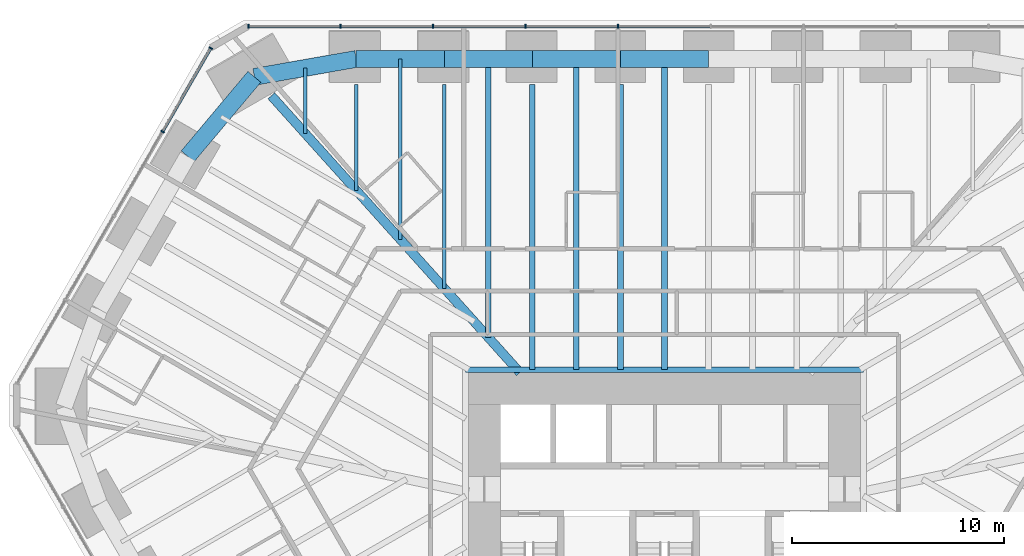
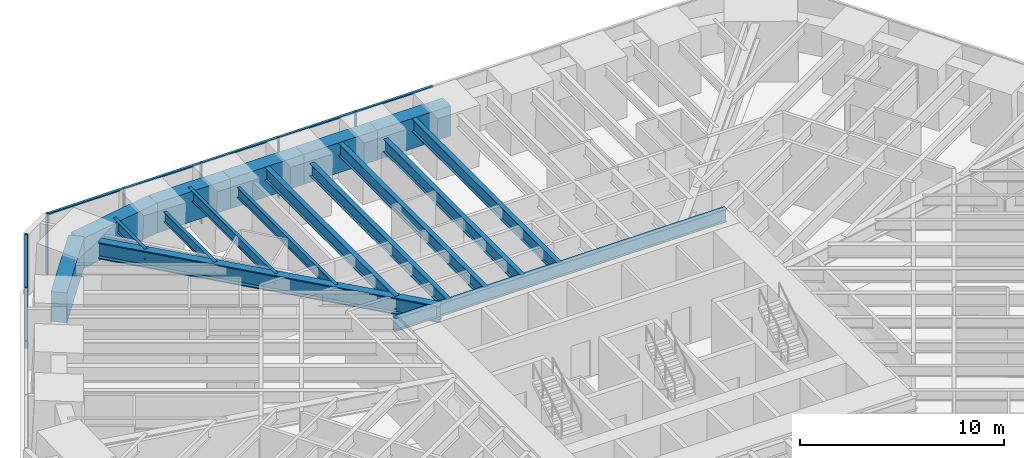
# One storey, part 8 of 17: 17 beams, 13 members, 2 elements without a shape of their own.
"""IFC4 building model written with IfcOpenShell, lengths in metres."""

from ifc_helpers import new_model, si_unit, direction, frame, origin, origin_2d, place, context, subcontext, project, spatial, rectangle, i_section, extrude, material, material_profile, profile_set, type_object, element, aggregate, save


model = new_model("IFC4")

# Units and contexts
model_context = context("Model", 3, precision=1e-05, world=origin(), true_north=direction((0.0, 1.0)))
body_context = subcontext(model_context, "Body", "Model", "MODEL_VIEW")
ifc_project = project(units=[si_unit("LENGTHUNIT", "METRE"), si_unit("AREAUNIT", "SQUARE_METRE"), si_unit("VOLUMEUNIT", "CUBIC_METRE"), si_unit("PLANEANGLEUNIT", "RADIAN"), si_unit("MASSUNIT", "GRAM", prefix="KILO")], contexts=[model_context])

# Site, building, storey
site_placement = place(None, origin())
site = spatial("IfcSite", under=ifc_project, at=site_placement, CompositionType="ELEMENT")
building_placement = place(site_placement, origin())
building = spatial("IfcBuilding", under=site, at=building_placement, Name="Sandreach Pilgrim Tower", CompositionType="ELEMENT")
storey_placement = place(building_placement, frame((0.0, 0.0, 61.0)))
storey = spatial("IfcBuildingStorey", under=building, at=storey_placement, Name="L14", CompositionType="ELEMENT", Elevation=61.0)

# Curtain wall, members
ifc_material_1 = material(Name="Aluminium framed curtain wall", Category="aluminium")
curtain_wall_type = type_object("IfcCurtainWallType", Name="Hostel tower curtain wall", PredefinedType="NOTDEFINED", material=ifc_material_1)
curtain_wall_1_placement = place(storey_placement, origin())
curtain_wall_1 = element("IfcCurtainWall", 1, at=curtain_wall_1_placement, inside=storey, type_object=curtain_wall_type, Name="CW-1 L14 N", PredefinedType="NOTDEFINED")
ifc_material_2 = material(Name="Aluminium extrusion", Category="aluminium")
ifc_material_profile_1 = material_profile(ifc_material_2, rectangle(XDim=0.06494140625, YDim=0.179931640625, at=origin_2d()), Name="CW-1M 65X180")
ifc_profile_set_1 = profile_set([ifc_material_profile_1], Name="Aluminium extrusion")
member_type_1 = type_object("IfcMemberType", Name="CW-1 mullion", PredefinedType="MULLION", material=ifc_profile_set_1)
member_1_placement = place(storey_placement, frame((-19.6396484375, 23.94873046875, 0.0), z_axis=(0.0, 0.0, 1.0), x_axis=(1.0, 0.0, 0.0)))
member_1 = element("IfcMember", 2, at=member_1_placement, type_object=member_type_1, Name="CW-1 mullion 1", PredefinedType="MULLION", context=body_context, shape_type="SweptSolid", body=[
    extrude(rectangle(XDim=0.06494140625, YDim=0.179931640625, at=origin_2d()), origin(), (0.0, 0.0, 1.0), 3.639892578125),
])
member_2_placement = place(storey_placement, frame((-15.300537109375, 23.94873046875, 0.0), z_axis=(0.0, 0.0, 1.0), x_axis=(1.0, 0.0, 0.0)))
member_2 = element("IfcMember", 3, at=member_2_placement, type_object=member_type_1, Name="CW-1 mullion 2", PredefinedType="MULLION", context=body_context, shape_type="SweptSolid", body=[
    extrude(rectangle(XDim=0.06494140625, YDim=0.179931640625, at=origin_2d()), origin(), (0.0, 0.0, 1.0), 3.639892578125),
])
member_3_placement = place(storey_placement, frame((-10.928955078125, 23.94873046875, 0.0), z_axis=(0.0, 0.0, 1.0), x_axis=(1.0, 0.0, 0.0)))
member_3 = element("IfcMember", 4, at=member_3_placement, type_object=member_type_1, Name="CW-1 mullion 3", PredefinedType="MULLION", context=body_context, shape_type="SweptSolid", body=[
    extrude(rectangle(XDim=0.06494140625, YDim=0.179931640625, at=origin_2d()), origin(), (0.0, 0.0, 1.0), 3.639892578125),
])
member_4_placement = place(storey_placement, frame((-6.557373046875, 23.94873046875, 0.0), z_axis=(0.0, 0.0, 1.0), x_axis=(1.0, 0.0, 0.0)))
member_4 = element("IfcMember", 5, at=member_4_placement, type_object=member_type_1, Name="CW-1 mullion 4", PredefinedType="MULLION", context=body_context, shape_type="SweptSolid", body=[
    extrude(rectangle(XDim=0.06494140625, YDim=0.179931640625, at=origin_2d()), origin(), (0.0, 0.0, 1.0), 3.639892578125),
])
member_5_placement = place(storey_placement, frame((-2.185791015625, 23.94873046875, 0.0), z_axis=(0.0, 0.0, 1.0), x_axis=(1.0, 0.0, 0.0)))
member_5 = element("IfcMember", 6, at=member_5_placement, type_object=member_type_1, Name="CW-1 mullion 5", PredefinedType="MULLION", context=body_context, shape_type="SweptSolid", body=[
    extrude(rectangle(XDim=0.06494140625, YDim=0.179931640625, at=origin_2d()), origin(), (0.0, 0.0, 1.0), 3.639892578125),
])

curtain_wall_2_placement = place(storey_placement, origin())
curtain_wall_2 = element("IfcCurtainWall", 7, at=curtain_wall_2_placement, inside=storey, type_object=curtain_wall_type, Name="CW-1 L14 NW", PredefinedType="NOTDEFINED")
member_6_placement = place(storey_placement, frame((-23.697265625, 18.97705078125, 0.0), z_axis=(0.0, 0.0, 1.0), x_axis=(0.5, 0.866025403784, 0.0)))
member_6 = element("IfcMember", 8, at=member_6_placement, type_object=member_type_1, Name="CW-1 mullion 4", PredefinedType="MULLION", context=body_context, shape_type="SweptSolid", body=[
    extrude(rectangle(XDim=0.06494140625, YDim=0.179931640625, at=origin_2d()), origin(), (0.0, 0.0, 1.0), 3.639892578125),
])
member_7_placement = place(storey_placement, frame((-21.42041015625, 22.920654296875, 0.0), z_axis=(0.0, 0.0, 1.0), x_axis=(0.5, 0.866025403784, 0.0)))
member_7 = element("IfcMember", 9, at=member_7_placement, type_object=member_type_1, Name="CW-1 mullion 5", PredefinedType="MULLION", context=body_context, shape_type="SweptSolid", body=[
    extrude(rectangle(XDim=0.06494140625, YDim=0.179931640625, at=origin_2d()), origin(), (0.0, 0.0, 1.0), 3.639892578125),
])

# Member
ifc_material_3 = material(Name="Aluminium extrusion", Category="aluminium")
ifc_material_profile_2 = material_profile(ifc_material_3, rectangle(XDim=0.139892578125, YDim=0.070068359375, at=origin_2d()), Name="CW-1T 140X70")
ifc_profile_set_2 = profile_set([ifc_material_profile_2], Name="Aluminium extrusion")
member_type_2 = type_object("IfcMemberType", Name="CW-1 transom", PredefinedType="USERDEFINED", material=ifc_profile_set_2)
member_8_placement = place(storey_placement, frame((-19.607177734375, 23.94873046875, 3.60498046875), z_axis=(1.0, 0.0, 0.0), x_axis=(0.0, 1.0, 0.0)))
member_8 = element("IfcMember", 10, at=member_8_placement, type_object=member_type_2, Name="CW-1 head transom 1", ObjectType="TRANSOM", PredefinedType="USERDEFINED", context=body_context, shape_type="SweptSolid", body=[
    extrude(rectangle(XDim=0.139892578125, YDim=0.070068359375, at=origin_2d()), origin(), (0.0, 0.0, 1.0), 4.274169921875),
])

member_9_placement = place(storey_placement, frame((-15.26806640625, 23.94873046875, 3.60498046875), z_axis=(1.0, 0.0, 0.0), x_axis=(0.0, 1.0, 0.0)))
member_9 = element("IfcMember", 11, at=member_9_placement, type_object=member_type_2, Name="CW-1 head transom 2", ObjectType="TRANSOM", PredefinedType="USERDEFINED", context=body_context, shape_type="SweptSolid", body=[
    extrude(rectangle(XDim=0.139892578125, YDim=0.070068359375, at=origin_2d()), origin(), (0.0, 0.0, 1.0), 4.306640625),
])

member_10_placement = place(storey_placement, frame((-10.896484375, 23.94873046875, 3.60498046875), z_axis=(1.0, 0.0, 0.0), x_axis=(0.0, 1.0, 0.0)))
member_10 = element("IfcMember", 12, at=member_10_placement, type_object=member_type_2, Name="CW-1 head transom 3", ObjectType="TRANSOM", PredefinedType="USERDEFINED", context=body_context, shape_type="SweptSolid", body=[
    extrude(rectangle(XDim=0.139892578125, YDim=0.070068359375, at=origin_2d()), origin(), (0.0, 0.0, 1.0), 4.306640625),
])

member_11_placement = place(storey_placement, frame((-6.52490234375, 23.94873046875, 3.60498046875), z_axis=(1.0, 0.0, 0.0), x_axis=(0.0, 1.0, 0.0)))
member_11 = element("IfcMember", 13, at=member_11_placement, type_object=member_type_2, Name="CW-1 head transom 4", ObjectType="TRANSOM", PredefinedType="USERDEFINED", context=body_context, shape_type="SweptSolid", body=[
    extrude(rectangle(XDim=0.139892578125, YDim=0.070068359375, at=origin_2d()), origin(), (0.0, 0.0, 1.0), 4.306640625),
])

member_12_placement = place(storey_placement, frame((-2.1533203125, 23.94873046875, 3.60498046875), z_axis=(1.0, 0.0, 0.0), x_axis=(0.0, 1.0, 0.0)))
member_12 = element("IfcMember", 14, at=member_12_placement, type_object=member_type_2, Name="CW-1 head transom 5", ObjectType="TRANSOM", PredefinedType="USERDEFINED", context=body_context, shape_type="SweptSolid", body=[
    extrude(rectangle(XDim=0.139892578125, YDim=0.070068359375, at=origin_2d()), origin(), (0.0, 0.0, 1.0), 4.306640625),
])

aggregate(curtain_wall_1, [member_1, member_2, member_3, member_4, member_5, member_8, member_9, member_10, member_11, member_12])

member_13_placement = place(storey_placement, frame((-23.680908203125, 19.005126953125, 3.60498046875), z_axis=(0.500017500808, 0.866015299452, 0.0), x_axis=(-0.866015299452, 0.500017500808, 0.0)))
member_13 = element("IfcMember", 15, at=member_13_placement, type_object=member_type_2, Name="CW-1 head transom 4", ObjectType="TRANSOM", PredefinedType="USERDEFINED", context=body_context, shape_type="SweptSolid", body=[
    extrude(rectangle(XDim=0.139892578125, YDim=0.070068359375, at=origin_2d()), origin(), (0.0, 0.0, 1.0), 4.488525390625),
])

aggregate(curtain_wall_2, [member_6, member_7, member_13])

# Beams
ifc_material_4 = material(Name="Steel ASTM A992 Grade 50", Category="steel")
ifc_material_profile_3 = material_profile(ifc_material_4, i_section(OverallWidth=0.2666015625, OverallDepth=0.77978515625, WebThickness=0.0166015625, FlangeThickness=0.030029296875, at=origin_2d()), Name="W30X148")
ifc_profile_set_3 = profile_set([ifc_material_profile_3], Name="Steel ASTM A992 Grade 50")
beam_type_1 = type_object("IfcBeamType", Name="Core edge beam W30X148", PredefinedType="BEAM", material=ifc_profile_set_3)
beam_1_placement = place(storey_placement, frame((-9.393310546875, 7.743408203125, 3.25), z_axis=(1.0, 0.0, 0.0), x_axis=(0.0, 1.0, 0.0)))
element("IfcBeam", 16, at=beam_1_placement, inside=storey, type_object=beam_type_1, Name="BM L14 CEN", PredefinedType="BEAM", context=body_context, shape_type="SweptSolid", body=[
    extrude(i_section(OverallWidth=0.2666015625, OverallDepth=0.77978515625, WebThickness=0.0166015625, FlangeThickness=0.030029296875, at=origin_2d()), origin(), (0.0, 0.0, 1.0), 18.78662109375),
])
ifc_material_5 = material(Name="Steel ASTM A992 Grade 50", Category="steel")
ifc_material_profile_4 = material_profile(ifc_material_5, i_section(OverallWidth=0.431884765625, OverallDepth=0.988037109375, WebThickness=0.034423828125, FlangeThickness=0.06201171875, at=origin_2d()), Name="W36X441")
ifc_profile_set_4 = profile_set([ifc_material_profile_4], Name="Steel ASTM A992 Grade 50")
beam_type_2 = type_object("IfcBeamType", Name="Corner girder W36X441", PredefinedType="BEAM", material=ifc_profile_set_4)
beam_2_placement = place(storey_placement, frame((-18.5615234375, 20.671142578125, 3.14599609375), z_axis=(0.668126629725, -0.744047583594, 0.0), x_axis=(0.744047583594, 0.668126629725, 0.0)))
element("IfcBeam", 17, at=beam_2_placement, inside=storey, type_object=beam_type_2, Name="BM L14 CG39", PredefinedType="BEAM", context=body_context, shape_type="SweptSolid", body=[
    extrude(i_section(OverallWidth=0.431884765625, OverallDepth=0.988037109375, WebThickness=0.034423828125, FlangeThickness=0.06201171875, at=origin_2d()), origin(), (0.0, 0.0, 1.0), 17.5673828125),
])
ifc_material_6 = material(Name="Steel ASTM A992 Grade 50", Category="steel")
ifc_material_profile_5 = material_profile(ifc_material_6, i_section(OverallWidth=0.1787109375, OverallDepth=0.60205078125, WebThickness=0.010986328125, FlangeThickness=0.014892578125, at=origin_2d()), Name="W24X62")
ifc_profile_set_5 = profile_set([ifc_material_profile_5], Name="Steel ASTM A992 Grade 50")
beam_type_3 = type_object("IfcBeamType", Name="Floor beam W24X62", PredefinedType="BEAM", material=ifc_profile_set_5)
beam_3_placement = place(storey_placement, frame((-14.553466796875, 21.20947265625, 3.339111328125), z_axis=(0.0, -1.0, 0.0), x_axis=(1.0, 0.0, 0.0)))
element("IfcBeam", 18, at=beam_3_placement, inside=storey, type_object=beam_type_3, Name="BM L14 F01", PredefinedType="BEAM", context=body_context, shape_type="SweptSolid", body=[
    extrude(i_section(OverallWidth=0.1787109375, OverallDepth=0.60205078125, WebThickness=0.010986328125, FlangeThickness=0.014892578125, at=origin_2d()), origin(), (0.0, 0.0, 1.0), 5.001953125),
])
beam_4_placement = place(storey_placement, frame((-10.395263671875, 21.20947265625, 3.339111328125), z_axis=(0.0, -1.0, 0.0), x_axis=(1.0, 0.0, 0.0)))
element("IfcBeam", 19, at=beam_4_placement, inside=storey, type_object=beam_type_3, Name="BM L14 F02", PredefinedType="BEAM", context=body_context, shape_type="SweptSolid", body=[
    extrude(i_section(OverallWidth=0.1787109375, OverallDepth=0.60205078125, WebThickness=0.010986328125, FlangeThickness=0.014892578125, at=origin_2d()), origin(), (0.0, 0.0, 1.0), 9.632568359375),
])
beam_5_placement = place(storey_placement, frame((-12.474365234375, 22.409423828125, 3.339111328125), z_axis=(0.0, -1.0, 0.0), x_axis=(1.0, 0.0, 0.0)))
element("IfcBeam", 20, at=beam_5_placement, inside=storey, type_object=beam_type_3, Name="BM L14 FM01", PredefinedType="BEAM", context=body_context, shape_type="SweptSolid", body=[
    extrude(i_section(OverallWidth=0.1787109375, OverallDepth=0.60205078125, WebThickness=0.010986328125, FlangeThickness=0.014892578125, at=origin_2d()), origin(), (0.0, 0.0, 1.0), 8.517333984375),
])
beam_6_placement = place(storey_placement, frame((-16.958251953125, 21.98681640625, 3.339111328125), z_axis=(0.0, -1.0, 0.0), x_axis=(1.0, 0.0, 0.0)))
element("IfcBeam", 21, at=beam_6_placement, inside=storey, type_object=beam_type_3, Name="BM L14 FM39", PredefinedType="BEAM", context=body_context, shape_type="SweptSolid", body=[
    extrude(i_section(OverallWidth=0.1787109375, OverallDepth=0.60205078125, WebThickness=0.010986328125, FlangeThickness=0.014892578125, at=origin_2d()), origin(), (0.0, 0.0, 1.0), 3.10107421875),
])
ifc_material_7 = material(Name="Steel ASTM A992 Grade 50", Category="steel")
ifc_material_profile_6 = material_profile(ifc_material_7, i_section(OverallWidth=0.2666015625, OverallDepth=0.761962890625, WebThickness=0.014404296875, FlangeThickness=0.021484375, at=origin_2d()), Name="W30X116")
ifc_profile_set_6 = profile_set([ifc_material_profile_6], Name="Steel ASTM A992 Grade 50")
beam_type_4 = type_object("IfcBeamType", Name="Floor beam W30X116", PredefinedType="BEAM", material=ifc_profile_set_6)
for number, where, z_axis, x_axis, name in (
    (22, (-6.237060546875, 21.20947265625, 3.259033203125), (0.0, -1.0, 0.0), (1.0, 0.0, 0.0), "BM L14 F03"),
    (23, (-2.0791015625, 21.20947265625, 3.259033203125), (0.0, -1.0, 0.0), (1.0, 0.0, 0.0), "BM L14 F04"),
):
    element("IfcBeam", number, at=place(storey_placement, frame(where, z_axis=z_axis, x_axis=x_axis)), inside=storey, type_object=beam_type_4, Name=name, PredefinedType="BEAM", context=body_context, shape_type="SweptSolid", body=[
        extrude(i_section(OverallWidth=0.2666015625, OverallDepth=0.761962890625, WebThickness=0.014404296875, FlangeThickness=0.021484375, at=origin_2d()), origin(), (0.0, 0.0, 1.0), 13.466064453125),
    ])
beam_7_placement = place(storey_placement, frame((-8.316162109375, 22.409423828125, 3.259033203125), z_axis=(0.0, -1.0, 0.0), x_axis=(1.0, 0.0, 0.0)))
element("IfcBeam", 24, at=beam_7_placement, inside=storey, type_object=beam_type_4, Name="BM L14 FM02", PredefinedType="BEAM", context=body_context, shape_type="SweptSolid", body=[
    extrude(i_section(OverallWidth=0.2666015625, OverallDepth=0.761962890625, WebThickness=0.014404296875, FlangeThickness=0.021484375, at=origin_2d()), origin(), (0.0, 0.0, 1.0), 13.14794921875),
])
for number, where, z_axis, x_axis, name in (
    (25, (-4.158203125, 22.409423828125, 3.259033203125), (0.0, -1.0, 0.0), (1.0, 0.0, 0.0), "BM L14 FM03"),
    (26, (0.0, 22.409423828125, 3.259033203125), (0.0, -1.0, 0.0), (1.0, 0.0, 0.0), "BM L14 FM04"),
):
    element("IfcBeam", number, at=place(storey_placement, frame(where, z_axis=z_axis, x_axis=x_axis)), inside=storey, type_object=beam_type_4, Name=name, PredefinedType="BEAM", context=body_context, shape_type="SweptSolid", body=[
        extrude(i_section(OverallWidth=0.2666015625, OverallDepth=0.761962890625, WebThickness=0.014404296875, FlangeThickness=0.021484375, at=origin_2d()), origin(), (0.0, 0.0, 1.0), 14.666015625),
    ])
ifc_material_8 = material(Name="Concrete 10000 psi", Category="concrete")
ifc_material_profile_7 = material_profile(ifc_material_8, rectangle(XDim=0.800048828125, YDim=1.800048828125, at=origin_2d()), Name="RC800X1800")
ifc_profile_set_7 = profile_set([ifc_material_profile_7], Name="Concrete 10000 psi")
beam_type_5 = type_object("IfcBeamType", Name="Spandrel beam RC800X1800", PredefinedType="SPANDREL", material=ifc_profile_set_7)
for number, where, z_axis, x_axis, name in (
    (27, (-14.553466796875, 22.409423828125, 2.739990234375), (1.0, 0.0, 0.0), (0.0, 1.0, 0.0), "BM L14 SP01"),
    (28, (-10.395263671875, 22.409423828125, 2.739990234375), (1.0, 0.0, 0.0), (0.0, 1.0, 0.0), "BM L14 SP02"),
):
    element("IfcBeam", number, at=place(storey_placement, frame(where, z_axis=z_axis, x_axis=x_axis)), inside=storey, type_object=beam_type_5, Name=name, PredefinedType="SPANDREL", context=body_context, shape_type="SweptSolid", body=[
        extrude(rectangle(XDim=0.800048828125, YDim=1.800048828125, at=origin_2d()), origin(), (0.0, 0.0, 1.0), 4.158203125),
    ])
beam_8_placement = place(storey_placement, frame((-6.237060546875, 22.409423828125, 2.739990234375), z_axis=(1.0, 0.0, 0.0), x_axis=(0.0, 1.0, 0.0)))
element("IfcBeam", 29, at=beam_8_placement, inside=storey, type_object=beam_type_5, Name="BM L14 SP03", PredefinedType="SPANDREL", context=body_context, shape_type="SweptSolid", body=[
    extrude(rectangle(XDim=0.800048828125, YDim=1.800048828125, at=origin_2d()), origin(), (0.0, 0.0, 1.0), 4.157958984375),
])
beam_9_placement = place(storey_placement, frame((-2.0791015625, 22.409423828125, 2.739990234375), z_axis=(1.0, 0.0, 0.0), x_axis=(0.0, 1.0, 0.0)))
element("IfcBeam", 30, at=beam_9_placement, inside=storey, type_object=beam_type_5, Name="BM L14 SP04", PredefinedType="SPANDREL", context=body_context, shape_type="SweptSolid", body=[
    extrude(rectangle(XDim=0.800048828125, YDim=1.800048828125, at=origin_2d()), origin(), (0.0, 0.0, 1.0), 4.158203125),
])
beam_10_placement = place(storey_placement, frame((-22.51123046875, 17.813232421875, 2.739990234375), z_axis=(0.642872815857, 0.765972938577, 0.0), x_axis=(-0.765972938577, 0.642872815857, 0.0)))
element("IfcBeam", 31, at=beam_10_placement, inside=storey, type_object=beam_type_5, Name="BM L14 SP38", PredefinedType="SPANDREL", context=body_context, shape_type="SweptSolid", body=[
    extrude(rectangle(XDim=0.800048828125, YDim=1.800048828125, at=origin_2d()), origin(), (0.0, 0.0, 1.0), 4.896728515625),
])
beam_11_placement = place(storey_placement, frame((-19.36328125, 21.56396484375, 2.739990234375), z_axis=(0.984900097302, 0.173123650422, 0.0), x_axis=(-0.173123650422, 0.984900097302, 0.0)))
element("IfcBeam", 32, at=beam_11_placement, inside=storey, type_object=beam_type_5, Name="BM L14 SP39", PredefinedType="SPANDREL", context=body_context, shape_type="SweptSolid", body=[
    extrude(rectangle(XDim=0.800048828125, YDim=1.800048828125, at=origin_2d()), origin(), (0.0, 0.0, 1.0), 4.883544921875),
])

save(model, "model.ifc")
